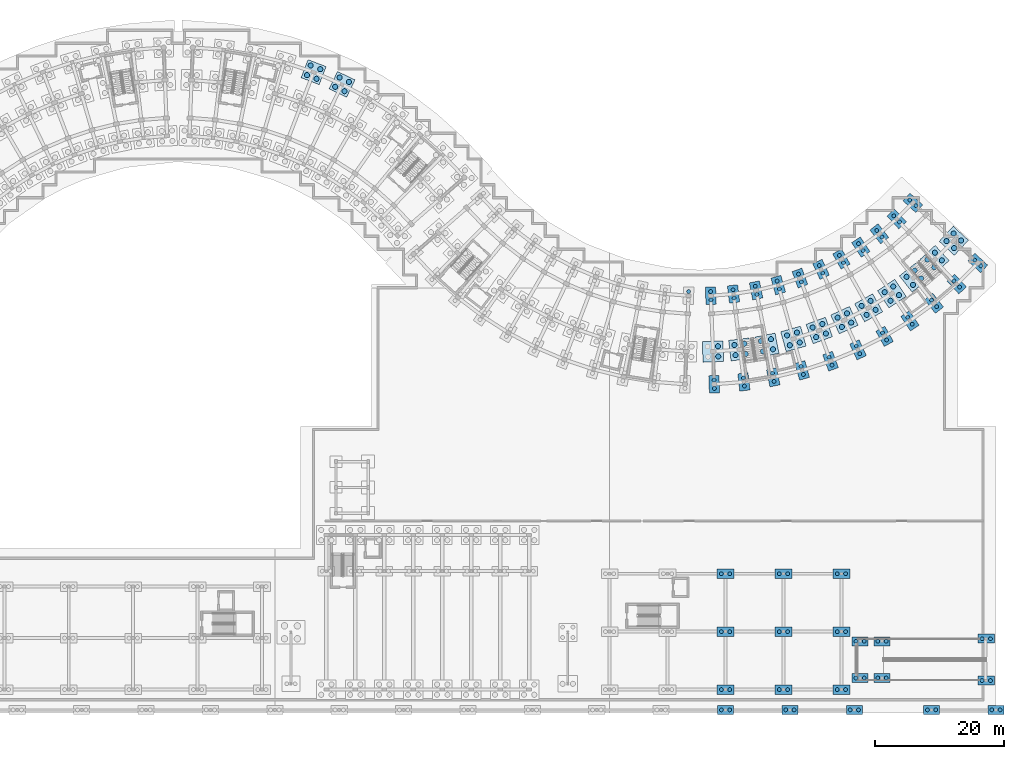
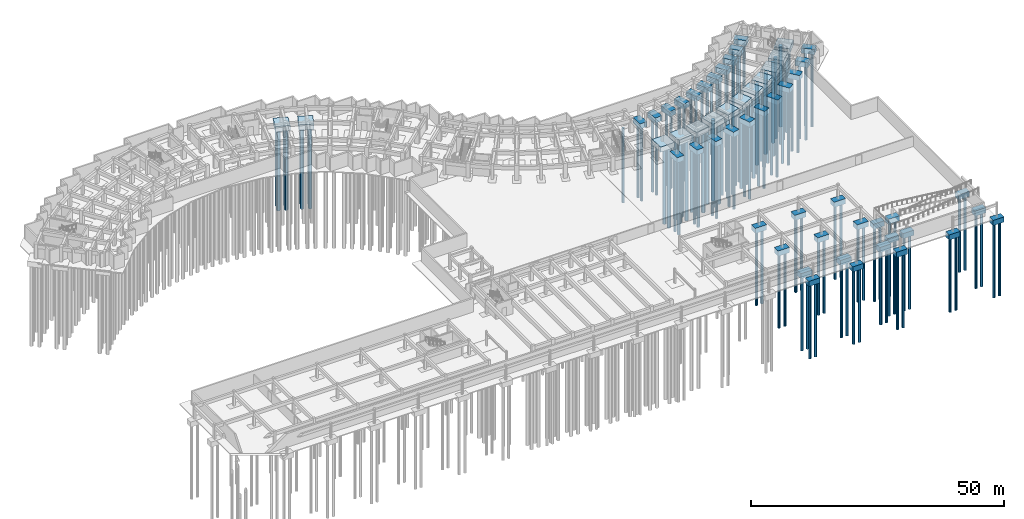
# One storey, part 4 of 32: 135 piles, 55 footings.
"""IFC4 building model written with IfcOpenShell, lengths in metres."""

from ifc_helpers import new_model, si_unit, direction, frame, origin, origin_2d, place, context, subcontext, project, spatial, rectangle, circle, extrude, material, material_profile, profile_set, type_object, element, save


model = new_model("IFC4")

# Units and contexts
model_context = context("Model", 3, precision=1e-05, world=origin(), true_north=direction((0.0, 1.0)))
body_context = subcontext(model_context, "Body", "Model", "MODEL_VIEW")
ifc_project = project(units=[si_unit("LENGTHUNIT", "METRE"), si_unit("AREAUNIT", "SQUARE_METRE"), si_unit("VOLUMEUNIT", "CUBIC_METRE"), si_unit("PLANEANGLEUNIT", "RADIAN"), si_unit("MASSUNIT", "GRAM", prefix="KILO")], contexts=[model_context])

# Site, building, storey
site_placement = place(None, origin())
site = spatial("IfcSite", under=ifc_project, at=site_placement, CompositionType="ELEMENT")
building_placement = place(site_placement, origin())
building = spatial("IfcBuilding", under=site, at=building_placement, Name="Zimvara Arc Housing Community", CompositionType="ELEMENT")
storey_placement = place(building_placement, frame((0.0, 0.0, -3.60009765625)))
storey = spatial("IfcBuildingStorey", under=building, at=storey_placement, Name="B1", CompositionType="ELEMENT", Elevation=-3.60009765625)

# Footings
ifc_material_1 = material(Name="Concrete C35/45", Category="concrete")
footing_type_1 = type_object("IfcFootingType", Name="FTG-PC2-2200x1400x1250", PredefinedType="PILE_CAP", material=ifc_material_1)
for number, where, z_axis, x_axis, name in (
    (1, (150.89990234375, 5.39990234375, -1.25), (0.0, 0.0, 1.0), (1.0, 0.0, 0.0), "ftg:ramp:1"),
    (2, (150.89990234375, 11.10009765625, -1.25), (0.0, 0.0, 1.0), (1.0, 0.0, 0.0), "ftg:ramp:2"),
    (3, (154.300048828125, 5.39990234375, -1.25), (0.0, 0.0, 1.0), (1.0, 0.0, 0.0), "ftg:ramp:3"),
    (4, (154.300048828125, 11.10009765625, -1.25), (0.0, 0.0, 1.0), (1.0, 0.0, 0.0), "ftg:ramp:4"),
    (5, (170.5, 5.0, -1.25), (0.0, 0.0, 1.0), (1.0, 0.0, 0.0), "ftg:ramp_top:1"),
    (6, (170.5, 11.5, -1.25), (0.0, 0.0, 1.0), (1.0, 0.0, 0.0), "ftg:ramp_top:2"),
    (7, (130.0, 0.449951171875, -1.25), (0.0, 0.0, 1.0), (1.0, 0.0, 0.0), "ftg:colonnade:13"),
    (8, (140.0, 0.449951171875, -1.25), (0.0, 0.0, 1.0), (1.0, 0.0, 0.0), "ftg:colonnade:14"),
    (9, (150.0, 0.449951171875, -1.25), (0.0, 0.0, 1.0), (1.0, 0.0, 0.0), "ftg:colonnade:15"),
    (10, (162.0, 0.449951171875, -1.25), (0.0, 0.0, 1.0), (1.0, 0.0, 0.0), "ftg:colonnade:16"),
    (11, (172.0, 0.449951171875, -1.25), (0.0, 0.0, 1.0), (1.0, 0.0, 0.0), "ftg:colonnade:17"),
):
    element("IfcFooting", number, at=place(storey_placement, frame(where, z_axis=z_axis, x_axis=x_axis)), inside=storey, type_object=footing_type_1, Name=name, PredefinedType="PILE_CAP", context=body_context, shape_type="SweptSolid", body=[
        extrude(rectangle(XDim=2.5, YDim=1.39990234375, at=origin_2d()), origin(), (0.0, 0.0, 1.0), 1.25),
    ])
ifc_material_2 = material(Name="Concrete C35/45", Category="concrete")
footing_type_2 = type_object("IfcFootingType", Name="FTG-PC2-2400x1500x1250", PredefinedType="PILE_CAP", material=ifc_material_2)
for number, where, z_axis, x_axis, name in (
    (12, (130.0, 3.60009765625, -1.25), (0.0, 0.0, 1.0), (1.0, 0.0, 0.0), "ftg:nursery:x2:y0"),
    (13, (130.0, 12.60009765625, -1.25), (0.0, 0.0, 1.0), (1.0, 0.0, 0.0), "ftg:nursery:x2:y1"),
    (14, (130.0, 21.60009765625, -1.25), (0.0, 0.0, 1.0), (1.0, 0.0, 0.0), "ftg:nursery:x2:y2"),
    (15, (139.0, 3.60009765625, -1.25), (0.0, 0.0, 1.0), (1.0, 0.0, 0.0), "ftg:nursery:x3:y0"),
    (16, (139.0, 12.60009765625, -1.25), (0.0, 0.0, 1.0), (1.0, 0.0, 0.0), "ftg:nursery:x3:y1"),
    (17, (139.0, 21.60009765625, -1.25), (0.0, 0.0, 1.0), (1.0, 0.0, 0.0), "ftg:nursery:x3:y2"),
    (18, (148.0, 3.60009765625, -1.25), (0.0, 0.0, 1.0), (1.0, 0.0, 0.0), "ftg:nursery:x4:y0"),
    (19, (148.0, 12.60009765625, -1.25), (0.0, 0.0, 1.0), (1.0, 0.0, 0.0), "ftg:nursery:x4:y1"),
    (20, (148.0, 21.60009765625, -1.25), (0.0, 0.0, 1.0), (1.0, 0.0, 0.0), "ftg:nursery:x4:y2"),
):
    element("IfcFooting", number, at=place(storey_placement, frame(where, z_axis=z_axis, x_axis=x_axis)), inside=storey, type_object=footing_type_2, Name=name, PredefinedType="PILE_CAP", context=body_context, shape_type="SweptSolid", body=[
        extrude(rectangle(XDim=2.60009765625, YDim=1.5, at=origin_2d()), origin(), (0.0, 0.0, 1.0), 1.25),
    ])
ifc_material_3 = material(Name="Concrete C35/45", Category="concrete")
footing_type_3 = type_object("IfcFootingType", Name="FTG-PC2-2600x1600x1250", PredefinedType="PILE_CAP", material=ifc_material_3)
for number, where, z_axis, x_axis, name in (
    (21, (127.712158203125, 64.773193359375, -1.25), (0.0, 0.0, 1.0), (0.038387809088, -0.999262916411, 0.0), "ftg:blkD:b0:r0"),
    (22, (128.240234375, 51.0234375, -1.25), (0.0, 0.0, 1.0), (0.038387809088, -0.999262916411, 0.0), "ftg:blkD:b0:r3"),
    (23, (131.244140625, 65.048095703125, -1.25), (0.0, 0.0, 1.0), (0.116670737099, -0.993170649538, 0.0), "ftg:blkD:b1:r0"),
    (24, (132.849609375, 51.382080078125, -1.25), (0.0, 0.0, 1.0), (0.116670737099, -0.993170649538, 0.0), "ftg:blkD:b1:r3"),
    (25, (134.743896484375, 65.599365234375, -1.25), (0.0, 0.0, 1.0), (0.19423435122, -0.980955155349, 0.0), "ftg:blkD:b2:r0"),
    (26, (137.41650390625, 52.101318359375, -1.25), (0.0, 0.0, 1.0), (0.19423435122, -0.980955155349, 0.0), "ftg:blkD:b2:r3"),
    (27, (138.189453125, 66.42333984375, -1.25), (0.0, 0.0, 1.0), (0.270600445976, -0.962691746426, 0.0), "ftg:blkD:b3:r0"),
    (28, (141.912841796875, 53.1767578125, -1.25), (0.0, 0.0, 1.0), (0.270600445976, -0.962691746426, 0.0), "ftg:blkD:b3:r3"),
    (29, (141.559814453125, 67.51513671875, -1.25), (0.0, 0.0, 1.0), (0.345298198999, -0.93849302276, 0.0), "ftg:blkD:b4:r0"),
    (30, (146.311279296875, 54.6015625, -1.25), (0.0, 0.0, 1.0), (0.345298198999, -0.93849302276, 0.0), "ftg:blkD:b4:r3"),
    (31, (144.834228515625, 68.8681640625, -1.25), (0.0, 0.0, 1.0), (0.417867073801, -0.908508177527, 0.0), "ftg:blkD:b5:r0"),
    (32, (150.583984375, 56.366943359375, -1.25), (0.0, 0.0, 1.0), (0.417867073801, -0.908508177527, 0.0), "ftg:blkD:b5:r3"),
    (33, (147.9921875, 70.473876953125, -1.25), (0.0, 0.0, 1.0), (0.487859659139, -0.87292207727, 0.0), "ftg:blkD:b6:r0"),
    (34, (154.705078125, 58.46240234375, -1.25), (0.0, 0.0, 1.0), (0.487859659139, -0.87292207727, 0.0), "ftg:blkD:b6:r3"),
    (35, (151.0146484375, 72.322265625, -1.25), (0.0, 0.0, 1.0), (0.554844427448, -0.83195412213, 0.0), "ftg:blkD:b7:r0"),
    (36, (158.649169921875, 60.87451171875, -1.25), (0.0, 0.0, 1.0), (0.554844427448, -0.83195412213, 0.0), "ftg:blkD:b7:r3"),
    (37, (153.882568359375, 74.402099609375, -1.25), (0.0, 0.0, 1.0), (0.618408395358, -0.785856893175, 0.0), "ftg:blkD:b8:r0"),
    (38, (162.391845703125, 63.5888671875, -1.25), (0.0, 0.0, 1.0), (0.618408395358, -0.785856893175, 0.0), "ftg:blkD:b8:r3"),
    (39, (156.57861328125, 76.70068359375, -1.25), (0.0, 0.0, 1.0), (0.678159669868, -0.73491459515, 0.0), "ftg:blkD:b9:r0"),
    (40, (165.91015625, 66.588134765625, -1.25), (0.0, 0.0, 1.0), (0.678159669868, -0.73491459515, 0.0), "ftg:blkD:b9:r3"),
    (41, (159.0859375, 79.20361328125, -1.25), (0.0, 0.0, 1.0), (0.733729864503, -0.679441304262, 0.0), "ftg:blkD:b10:r0"),
    (42, (169.18212890625, 69.8544921875, -1.25), (0.0, 0.0, 1.0), (0.733729864503, -0.679441304262, 0.0), "ftg:blkD:b10:r3"),
):
    element("IfcFooting", number, at=place(storey_placement, frame(where, z_axis=z_axis, x_axis=x_axis)), inside=storey, type_object=footing_type_3, Name=name, PredefinedType="PILE_CAP", context=body_context, shape_type="SweptSolid", body=[
        extrude(rectangle(XDim=2.699951171875, YDim=1.60009765625, at=origin_2d()), origin(), (0.0, 0.0, 1.0), 1.25),
    ])
ifc_material_4 = material(Name="Concrete C35/45", Category="concrete")
footing_type_4 = type_object("IfcFootingType", Name="FTG-PC4-2800x2800x1250", PredefinedType="PILE_CAP", material=ifc_material_4)
for number, where, z_axis, x_axis, name in (
    (43, (66.02392578125, 99.49853515625, -1.25), (0.0, 0.0, 1.0), (0.357064076459, 0.934079892355, 0.0), "ftg:blkB:b4:r3"),
    (44, (70.441162109375, 97.599853515625, -1.25), (0.0, 0.0, 1.0), (0.432085748802, 0.901832526405, 0.0), "ftg:blkB:b5:r3"),
):
    element("IfcFooting", number, at=place(storey_placement, frame(where, z_axis=z_axis, x_axis=x_axis)), inside=storey, type_object=footing_type_4, Name=name, PredefinedType="PILE_CAP", context=body_context, shape_type="SweptSolid", body=[
        extrude(rectangle(XDim=3.0, YDim=3.0, at=origin_2d()), origin(), (0.0, 0.0, 1.0), 1.25),
    ])
ifc_material_5 = material(Name="Concrete C35/45", Category="concrete")
footing_type_5 = type_object("IfcFootingType", Name="FTG-PC4-3200x3200x1250", PredefinedType="PILE_CAP", material=ifc_material_5)
for number, where, z_axis, x_axis, name in (
    (45, (128.045166015625, 56.099609375, -1.25), (0.0, 0.0, 1.0), (0.038387809088, -0.999262916411, 0.0), "ftg:blkD:b0:r2"),
    (46, (132.2568359375, 56.427490234375, -1.25), (0.0, 0.0, 1.0), (0.116670737099, -0.993170649538, 0.0), "ftg:blkD:b1:r2"),
    (47, (136.4296875, 57.084716796875, -1.25), (0.0, 0.0, 1.0), (0.19423435122, -0.980955155349, 0.0), "ftg:blkD:b2:r2"),
    (48, (140.538330078125, 58.067138671875, -1.25), (0.0, 0.0, 1.0), (0.270600445976, -0.962691746426, 0.0), "ftg:blkD:b3:r2"),
    (49, (144.55712890625, 59.369140625, -1.25), (0.0, 0.0, 1.0), (0.345298198999, -0.93849302276, 0.0), "ftg:blkD:b4:r2"),
    (50, (148.461181640625, 60.982177734375, -1.25), (0.0, 0.0, 1.0), (0.417867073801, -0.908508177527, 0.0), "ftg:blkD:b5:r2"),
    (51, (152.226806640625, 62.896728515625, -1.25), (0.0, 0.0, 1.0), (0.487859659139, -0.87292207727, 0.0), "ftg:blkD:b6:r2"),
    (52, (155.83056640625, 65.100830078125, -1.25), (0.0, 0.0, 1.0), (0.554844427448, -0.83195412213, 0.0), "ftg:blkD:b7:r2"),
    (53, (159.25048828125, 67.580810546875, -1.25), (0.0, 0.0, 1.0), (0.618408395358, -0.785856893175, 0.0), "ftg:blkD:b8:r2"),
    (54, (162.465087890625, 70.321533203125, -1.25), (0.0, 0.0, 1.0), (0.678159669868, -0.73491459515, 0.0), "ftg:blkD:b9:r2"),
    (55, (165.45458984375, 73.30615234375, -1.25), (0.0, 0.0, 1.0), (0.733729864503, -0.679441304262, 0.0), "ftg:blkD:b10:r2"),
):
    element("IfcFooting", number, at=place(storey_placement, frame(where, z_axis=z_axis, x_axis=x_axis)), inside=storey, type_object=footing_type_5, Name=name, PredefinedType="PILE_CAP", context=body_context, shape_type="SweptSolid", body=[
        extrude(rectangle(XDim=3.199951171875, YDim=3.199951171875, at=origin_2d()), origin(), (0.0, 0.0, 1.0), 1.25),
    ])

# Piles
ifc_material_6 = material(Name="Concrete C35/45", Category="concrete")
ifc_material_profile_1 = material_profile(ifc_material_6, circle(Radius=0.300048828125, at=origin_2d()), Name="PILE D600")
ifc_profile_set_1 = profile_set([ifc_material_profile_1], Name="Concrete C35/45")
pile_type_1 = type_object("IfcPileType", Name="PIL-BORED-D600", PredefinedType="BORED", material=ifc_profile_set_1)
for number, where, z_axis, x_axis, name in (
    (56, (150.25, 5.39990234375, -1.14990234375), (0.0, 0.0, -1.0), (1.0, 0.0, 0.0), "pile:ramp:1:1"),
    (57, (151.550048828125, 5.39990234375, -1.14990234375), (0.0, 0.0, -1.0), (1.0, 0.0, 0.0), "pile:ramp:1:2"),
    (58, (150.25, 11.10009765625, -1.14990234375), (0.0, 0.0, -1.0), (1.0, 0.0, 0.0), "pile:ramp:2:1"),
    (59, (151.550048828125, 11.10009765625, -1.14990234375), (0.0, 0.0, -1.0), (1.0, 0.0, 0.0), "pile:ramp:2:2"),
    (60, (153.64990234375, 5.39990234375, -1.14990234375), (0.0, 0.0, -1.0), (1.0, 0.0, 0.0), "pile:ramp:3:1"),
    (61, (154.949951171875, 5.39990234375, -1.14990234375), (0.0, 0.0, -1.0), (1.0, 0.0, 0.0), "pile:ramp:3:2"),
    (62, (153.64990234375, 11.10009765625, -1.14990234375), (0.0, 0.0, -1.0), (1.0, 0.0, 0.0), "pile:ramp:4:1"),
    (63, (154.949951171875, 11.10009765625, -1.14990234375), (0.0, 0.0, -1.0), (1.0, 0.0, 0.0), "pile:ramp:4:2"),
    (64, (169.85009765625, 5.0, -1.14990234375), (0.0, 0.0, -1.0), (1.0, 0.0, 0.0), "pile:ramp_top:1:1"),
    (65, (171.14990234375, 5.0, -1.14990234375), (0.0, 0.0, -1.0), (1.0, 0.0, 0.0), "pile:ramp_top:1:2"),
    (66, (169.85009765625, 11.5, -1.14990234375), (0.0, 0.0, -1.0), (1.0, 0.0, 0.0), "pile:ramp_top:2:1"),
    (67, (171.14990234375, 11.5, -1.14990234375), (0.0, 0.0, -1.0), (1.0, 0.0, 0.0), "pile:ramp_top:2:2"),
    (68, (124.27294921875, 65.4228515625, -1.14990234375), (0.0, 0.0, -1.0), (1.0, 0.0, 0.0), "pile:blkC:b10:r0:1"),
    (69, (127.68701171875, 65.4228515625, -1.14990234375), (0.0, 0.0, -1.0), (1.0, 0.0, 0.0), "pile:blkD:b0:r0:1"),
    (70, (127.737060546875, 64.123779296875, -1.14990234375), (0.0, 0.0, -1.0), (1.0, 0.0, 0.0), "pile:blkD:b0:r0:2"),
    (71, (128.21533203125, 51.6728515625, -1.14990234375), (0.0, 0.0, -1.0), (1.0, 0.0, 0.0), "pile:blkD:b0:r3:1"),
    (72, (128.26513671875, 50.373779296875, -1.14990234375), (0.0, 0.0, -1.0), (1.0, 0.0, 0.0), "pile:blkD:b0:r3:2"),
    (73, (131.16845703125, 65.693603515625, -1.14990234375), (0.0, 0.0, -1.0), (1.0, 0.0, 0.0), "pile:blkD:b1:r0:1"),
    (74, (131.320068359375, 64.402587890625, -1.14990234375), (0.0, 0.0, -1.0), (1.0, 0.0, 0.0), "pile:blkD:b1:r0:2"),
    (75, (132.773681640625, 52.027587890625, -1.14990234375), (0.0, 0.0, -1.0), (1.0, 0.0, 0.0), "pile:blkD:b1:r3:1"),
    (76, (132.92529296875, 50.736572265625, -1.14990234375), (0.0, 0.0, -1.0), (1.0, 0.0, 0.0), "pile:blkD:b1:r3:2"),
    (77, (134.61767578125, 66.23681640625, -1.14990234375), (0.0, 0.0, -1.0), (1.0, 0.0, 0.0), "pile:blkD:b2:r0:1"),
    (78, (134.8701171875, 64.961669921875, -1.14990234375), (0.0, 0.0, -1.0), (1.0, 0.0, 0.0), "pile:blkD:b2:r0:2"),
    (79, (137.290283203125, 52.739013671875, -1.14990234375), (0.0, 0.0, -1.0), (1.0, 0.0, 0.0), "pile:blkD:b2:r3:1"),
    (80, (137.542724609375, 51.463623046875, -1.14990234375), (0.0, 0.0, -1.0), (1.0, 0.0, 0.0), "pile:blkD:b2:r3:2"),
    (81, (138.013671875, 67.049072265625, -1.14990234375), (0.0, 0.0, -1.0), (1.0, 0.0, 0.0), "pile:blkD:b3:r0:1"),
    (82, (138.365478515625, 65.797607421875, -1.14990234375), (0.0, 0.0, -1.0), (1.0, 0.0, 0.0), "pile:blkD:b3:r0:2"),
    (83, (141.737060546875, 53.802490234375, -1.14990234375), (0.0, 0.0, -1.0), (1.0, 0.0, 0.0), "pile:blkD:b3:r3:1"),
    (84, (142.0888671875, 52.551025390625, -1.14990234375), (0.0, 0.0, -1.0), (1.0, 0.0, 0.0), "pile:blkD:b3:r3:2"),
    (85, (141.33544921875, 68.125244140625, -1.14990234375), (0.0, 0.0, -1.0), (1.0, 0.0, 0.0), "pile:blkD:b4:r0:1"),
    (86, (141.7841796875, 66.9052734375, -1.14990234375), (0.0, 0.0, -1.0), (1.0, 0.0, 0.0), "pile:blkD:b4:r0:2"),
    (87, (146.086669921875, 55.211669921875, -1.14990234375), (0.0, 0.0, -1.0), (1.0, 0.0, 0.0), "pile:blkD:b4:r3:1"),
    (88, (146.53564453125, 53.991455078125, -1.14990234375), (0.0, 0.0, -1.0), (1.0, 0.0, 0.0), "pile:blkD:b4:r3:2"),
    (89, (144.5625, 69.458740234375, -1.14990234375), (0.0, 0.0, -1.0), (1.0, 0.0, 0.0), "pile:blkD:b5:r0:1"),
    (90, (145.105712890625, 68.277587890625, -1.14990234375), (0.0, 0.0, -1.0), (1.0, 0.0, 0.0), "pile:blkD:b5:r0:2"),
    (91, (150.3125, 56.95751953125, -1.14990234375), (0.0, 0.0, -1.0), (1.0, 0.0, 0.0), "pile:blkD:b5:r3:1"),
    (92, (150.855712890625, 55.776611328125, -1.14990234375), (0.0, 0.0, -1.0), (1.0, 0.0, 0.0), "pile:blkD:b5:r3:2"),
    (93, (147.675048828125, 71.041259765625, -1.14990234375), (0.0, 0.0, -1.0), (1.0, 0.0, 0.0), "pile:blkD:b6:r0:1"),
    (94, (148.309326171875, 69.90625, -1.14990234375), (0.0, 0.0, -1.0), (1.0, 0.0, 0.0), "pile:blkD:b6:r0:2"),
    (95, (154.38818359375, 59.02978515625, -1.14990234375), (0.0, 0.0, -1.0), (1.0, 0.0, 0.0), "pile:blkD:b6:r3:1"),
    (96, (155.022216796875, 57.89501953125, -1.14990234375), (0.0, 0.0, -1.0), (1.0, 0.0, 0.0), "pile:blkD:b6:r3:2"),
    (97, (150.65380859375, 72.863037109375, -1.14990234375), (0.0, 0.0, -1.0), (1.0, 0.0, 0.0), "pile:blkD:b7:r0:1"),
    (98, (151.375244140625, 71.781494140625, -1.14990234375), (0.0, 0.0, -1.0), (1.0, 0.0, 0.0), "pile:blkD:b7:r0:2"),
    (99, (158.28857421875, 61.415283203125, -1.14990234375), (0.0, 0.0, -1.0), (1.0, 0.0, 0.0), "pile:blkD:b7:r3:1"),
    (100, (159.010009765625, 60.333740234375, -1.14990234375), (0.0, 0.0, -1.0), (1.0, 0.0, 0.0), "pile:blkD:b7:r3:2"),
    (101, (153.480712890625, 74.912841796875, -1.14990234375), (0.0, 0.0, -1.0), (1.0, 0.0, 0.0), "pile:blkD:b8:r0:1"),
    (102, (154.28466796875, 73.891357421875, -1.14990234375), (0.0, 0.0, -1.0), (1.0, 0.0, 0.0), "pile:blkD:b8:r0:2"),
    (103, (161.989990234375, 64.099609375, -1.14990234375), (0.0, 0.0, -1.0), (1.0, 0.0, 0.0), "pile:blkD:b8:r3:1"),
    (104, (162.7939453125, 63.077880859375, -1.14990234375), (0.0, 0.0, -1.0), (1.0, 0.0, 0.0), "pile:blkD:b8:r3:2"),
    (105, (156.1376953125, 77.178466796875, -1.14990234375), (0.0, 0.0, -1.0), (1.0, 0.0, 0.0), "pile:blkD:b9:r0:1"),
    (106, (157.019287109375, 76.222900390625, -1.14990234375), (0.0, 0.0, -1.0), (1.0, 0.0, 0.0), "pile:blkD:b9:r0:2"),
    (107, (165.46923828125, 67.06591796875, -1.14990234375), (0.0, 0.0, -1.0), (1.0, 0.0, 0.0), "pile:blkD:b9:r3:1"),
    (108, (166.350830078125, 66.110595703125, -1.14990234375), (0.0, 0.0, -1.0), (1.0, 0.0, 0.0), "pile:blkD:b9:r3:2"),
    (109, (158.60888671875, 79.645263671875, -1.14990234375), (0.0, 0.0, -1.0), (1.0, 0.0, 0.0), "pile:blkD:b10:r0:1"),
    (110, (159.562744140625, 78.761962890625, -1.14990234375), (0.0, 0.0, -1.0), (1.0, 0.0, 0.0), "pile:blkD:b10:r0:2"),
    (111, (168.705078125, 70.296142578125, -1.14990234375), (0.0, 0.0, -1.0), (1.0, 0.0, 0.0), "pile:blkD:b10:r3:1"),
    (112, (169.658935546875, 69.412841796875, -1.14990234375), (0.0, 0.0, -1.0), (1.0, 0.0, 0.0), "pile:blkD:b10:r3:2"),
    (113, (129.35009765625, 3.60009765625, -1.14990234375), (0.0, 0.0, -1.0), (1.0, 0.0, 0.0), "pile:nursery:x2:y0:1"),
    (114, (130.64990234375, 3.60009765625, -1.14990234375), (0.0, 0.0, -1.0), (1.0, 0.0, 0.0), "pile:nursery:x2:y0:2"),
    (115, (129.35009765625, 12.60009765625, -1.14990234375), (0.0, 0.0, -1.0), (1.0, 0.0, 0.0), "pile:nursery:x2:y1:1"),
    (116, (130.64990234375, 12.60009765625, -1.14990234375), (0.0, 0.0, -1.0), (1.0, 0.0, 0.0), "pile:nursery:x2:y1:2"),
    (117, (129.35009765625, 21.60009765625, -1.14990234375), (0.0, 0.0, -1.0), (1.0, 0.0, 0.0), "pile:nursery:x2:y2:1"),
    (118, (130.64990234375, 21.60009765625, -1.14990234375), (0.0, 0.0, -1.0), (1.0, 0.0, 0.0), "pile:nursery:x2:y2:2"),
    (119, (138.35009765625, 3.60009765625, -1.14990234375), (0.0, 0.0, -1.0), (1.0, 0.0, 0.0), "pile:nursery:x3:y0:1"),
    (120, (139.64990234375, 3.60009765625, -1.14990234375), (0.0, 0.0, -1.0), (1.0, 0.0, 0.0), "pile:nursery:x3:y0:2"),
    (121, (138.35009765625, 12.60009765625, -1.14990234375), (0.0, 0.0, -1.0), (1.0, 0.0, 0.0), "pile:nursery:x3:y1:1"),
    (122, (139.64990234375, 12.60009765625, -1.14990234375), (0.0, 0.0, -1.0), (1.0, 0.0, 0.0), "pile:nursery:x3:y1:2"),
    (123, (138.35009765625, 21.60009765625, -1.14990234375), (0.0, 0.0, -1.0), (1.0, 0.0, 0.0), "pile:nursery:x3:y2:1"),
    (124, (139.64990234375, 21.60009765625, -1.14990234375), (0.0, 0.0, -1.0), (1.0, 0.0, 0.0), "pile:nursery:x3:y2:2"),
    (125, (147.35009765625, 3.60009765625, -1.14990234375), (0.0, 0.0, -1.0), (1.0, 0.0, 0.0), "pile:nursery:x4:y0:1"),
    (126, (148.64990234375, 3.60009765625, -1.14990234375), (0.0, 0.0, -1.0), (1.0, 0.0, 0.0), "pile:nursery:x4:y0:2"),
    (127, (147.35009765625, 12.60009765625, -1.14990234375), (0.0, 0.0, -1.0), (1.0, 0.0, 0.0), "pile:nursery:x4:y1:1"),
    (128, (148.64990234375, 12.60009765625, -1.14990234375), (0.0, 0.0, -1.0), (1.0, 0.0, 0.0), "pile:nursery:x4:y1:2"),
    (129, (147.35009765625, 21.60009765625, -1.14990234375), (0.0, 0.0, -1.0), (1.0, 0.0, 0.0), "pile:nursery:x4:y2:1"),
    (130, (148.64990234375, 21.60009765625, -1.14990234375), (0.0, 0.0, -1.0), (1.0, 0.0, 0.0), "pile:nursery:x4:y2:2"),
    (131, (129.35009765625, 0.449951171875, -1.14990234375), (0.0, 0.0, -1.0), (1.0, 0.0, 0.0), "pile:colonnade:13:1"),
    (132, (130.64990234375, 0.449951171875, -1.14990234375), (0.0, 0.0, -1.0), (1.0, 0.0, 0.0), "pile:colonnade:13:2"),
    (133, (139.35009765625, 0.449951171875, -1.14990234375), (0.0, 0.0, -1.0), (1.0, 0.0, 0.0), "pile:colonnade:14:1"),
    (134, (140.64990234375, 0.449951171875, -1.14990234375), (0.0, 0.0, -1.0), (1.0, 0.0, 0.0), "pile:colonnade:14:2"),
    (135, (149.35009765625, 0.449951171875, -1.14990234375), (0.0, 0.0, -1.0), (1.0, 0.0, 0.0), "pile:colonnade:15:1"),
    (136, (150.64990234375, 0.449951171875, -1.14990234375), (0.0, 0.0, -1.0), (1.0, 0.0, 0.0), "pile:colonnade:15:2"),
    (137, (161.35009765625, 0.449951171875, -1.14990234375), (0.0, 0.0, -1.0), (1.0, 0.0, 0.0), "pile:colonnade:16:1"),
    (138, (162.64990234375, 0.449951171875, -1.14990234375), (0.0, 0.0, -1.0), (1.0, 0.0, 0.0), "pile:colonnade:16:2"),
    (139, (171.35009765625, 0.449951171875, -1.14990234375), (0.0, 0.0, -1.0), (1.0, 0.0, 0.0), "pile:colonnade:17:1"),
    (140, (172.64990234375, 0.449951171875, -1.14990234375), (0.0, 0.0, -1.0), (1.0, 0.0, 0.0), "pile:colonnade:17:2"),
):
    element("IfcPile", number, at=place(storey_placement, frame(where, z_axis=z_axis, x_axis=x_axis)), inside=storey, type_object=pile_type_1, Name=name, PredefinedType="BORED", context=body_context, shape_type="SweptSolid", body=[
        extrude(circle(Radius=0.300048828125, at=origin_2d()), origin(), (0.0, 0.0, 1.0), 18.0),
    ])
ifc_material_7 = material(Name="Concrete C35/45", Category="concrete")
ifc_material_profile_2 = material_profile(ifc_material_7, circle(Radius=0.39990234375, at=origin_2d()), Name="PILE D800")
ifc_profile_set_2 = profile_set([ifc_material_profile_2], Name="Concrete C35/45")
pile_type_2 = type_object("IfcPileType", Name="PIL-BORED-D800", PredefinedType="BORED", material=ifc_profile_set_2)
for number, where, z_axis, x_axis, name in (
    (141, (66.485595703125, 98.4658203125, -1.14990234375), (0.0, 0.0, -1.0), (1.0, 0.0, 0.0), "pile:blkB:b4:r3:1"),
    (142, (67.056884765625, 99.960205078125, -1.14990234375), (0.0, 0.0, -1.0), (1.0, 0.0, 0.0), "pile:blkB:b4:r3:2"),
    (143, (65.562255859375, 100.531494140625, -1.14990234375), (0.0, 0.0, -1.0), (1.0, 0.0, 0.0), "pile:blkB:b4:r3:3"),
    (144, (64.990966796875, 99.037109375, -1.14990234375), (0.0, 0.0, -1.0), (1.0, 0.0, 0.0), "pile:blkB:b4:r3:4"),
    (145, (70.81689453125, 96.53271484375, -1.14990234375), (0.0, 0.0, -1.0), (1.0, 0.0, 0.0), "pile:blkB:b5:r3:1"),
    (146, (71.50830078125, 97.9755859375, -1.14990234375), (0.0, 0.0, -1.0), (1.0, 0.0, 0.0), "pile:blkB:b5:r3:2"),
    (147, (70.0654296875, 98.6669921875, -1.14990234375), (0.0, 0.0, -1.0), (1.0, 0.0, 0.0), "pile:blkB:b5:r3:3"),
    (148, (69.3740234375, 97.22412109375, -1.14990234375), (0.0, 0.0, -1.0), (1.0, 0.0, 0.0), "pile:blkB:b5:r3:4"),
    (149, (128.87548828125, 55.3310546875, -1.14990234375), (0.0, 0.0, -1.0), (1.0, 0.0, 0.0), "pile:blkD:b0:r2:3"),
    (150, (128.81396484375, 56.9296875, -1.14990234375), (0.0, 0.0, -1.0), (1.0, 0.0, 0.0), "pile:blkD:b0:r2:4"),
    (151, (131.368896484375, 57.128662109375, -1.14990234375), (0.0, 0.0, -1.0), (1.0, 0.0, 0.0), "pile:blkD:b1:r2:1"),
    (152, (131.5556640625, 55.53955078125, -1.14990234375), (0.0, 0.0, -1.0), (1.0, 0.0, 0.0), "pile:blkD:b1:r2:2"),
    (153, (133.144775390625, 55.726318359375, -1.14990234375), (0.0, 0.0, -1.0), (1.0, 0.0, 0.0), "pile:blkD:b1:r2:3"),
    (154, (132.9580078125, 57.315185546875, -1.14990234375), (0.0, 0.0, -1.0), (1.0, 0.0, 0.0), "pile:blkD:b1:r2:4"),
    (155, (135.48974609375, 57.714111328125, -1.14990234375), (0.0, 0.0, -1.0), (1.0, 0.0, 0.0), "pile:blkD:b2:r2:1"),
    (156, (135.800537109375, 56.14453125, -1.14990234375), (0.0, 0.0, -1.0), (1.0, 0.0, 0.0), "pile:blkD:b2:r2:2"),
    (157, (137.369873046875, 56.455322265625, -1.14990234375), (0.0, 0.0, -1.0), (1.0, 0.0, 0.0), "pile:blkD:b2:r2:3"),
    (158, (137.05908203125, 58.024658203125, -1.14990234375), (0.0, 0.0, -1.0), (1.0, 0.0, 0.0), "pile:blkD:b2:r2:4"),
    (159, (139.5517578125, 58.620849609375, -1.14990234375), (0.0, 0.0, -1.0), (1.0, 0.0, 0.0), "pile:blkD:b3:r2:1"),
    (160, (139.984619140625, 57.08056640625, -1.14990234375), (0.0, 0.0, -1.0), (1.0, 0.0, 0.0), "pile:blkD:b3:r2:2"),
    (161, (141.52490234375, 57.513427734375, -1.14990234375), (0.0, 0.0, -1.0), (1.0, 0.0, 0.0), "pile:blkD:b3:r2:3"),
    (162, (141.092041015625, 59.0537109375, -1.14990234375), (0.0, 0.0, -1.0), (1.0, 0.0, 0.0), "pile:blkD:b3:r2:4"),
    (163, (143.530029296875, 59.84375, -1.14990234375), (0.0, 0.0, -1.0), (1.0, 0.0, 0.0), "pile:blkD:b4:r2:1"),
    (164, (144.08251953125, 58.342041015625, -1.14990234375), (0.0, 0.0, -1.0), (1.0, 0.0, 0.0), "pile:blkD:b4:r2:2"),
    (165, (145.583984375, 58.89453125, -1.14990234375), (0.0, 0.0, -1.0), (1.0, 0.0, 0.0), "pile:blkD:b4:r2:3"),
    (166, (145.031494140625, 60.39599609375, -1.14990234375), (0.0, 0.0, -1.0), (1.0, 0.0, 0.0), "pile:blkD:b4:r2:4"),
    (167, (147.400146484375, 61.374755859375, -1.14990234375), (0.0, 0.0, -1.0), (1.0, 0.0, 0.0), "pile:blkD:b5:r2:1"),
    (168, (148.06884765625, 59.921142578125, -1.14990234375), (0.0, 0.0, -1.0), (1.0, 0.0, 0.0), "pile:blkD:b5:r2:2"),
    (169, (149.5224609375, 60.58984375, -1.14990234375), (0.0, 0.0, -1.0), (1.0, 0.0, 0.0), "pile:blkD:b5:r2:3"),
    (170, (148.853759765625, 62.04345703125, -1.14990234375), (0.0, 0.0, -1.0), (1.0, 0.0, 0.0), "pile:blkD:b5:r2:4"),
    (171, (151.13818359375, 63.204833984375, -1.14990234375), (0.0, 0.0, -1.0), (1.0, 0.0, 0.0), "pile:blkD:b6:r2:1"),
    (172, (151.918701171875, 61.80810546875, -1.14990234375), (0.0, 0.0, -1.0), (1.0, 0.0, 0.0), "pile:blkD:b6:r2:2"),
    (173, (153.3154296875, 62.588623046875, -1.14990234375), (0.0, 0.0, -1.0), (1.0, 0.0, 0.0), "pile:blkD:b6:r2:3"),
    (174, (152.534912109375, 63.9853515625, -1.14990234375), (0.0, 0.0, -1.0), (1.0, 0.0, 0.0), "pile:blkD:b6:r2:4"),
    (175, (154.72119140625, 65.322509765625, -1.14990234375), (0.0, 0.0, -1.0), (1.0, 0.0, 0.0), "pile:blkD:b7:r2:1"),
    (176, (155.60888671875, 63.991455078125, -1.14990234375), (0.0, 0.0, -1.0), (1.0, 0.0, 0.0), "pile:blkD:b7:r2:2"),
    (177, (156.940185546875, 64.879150390625, -1.14990234375), (0.0, 0.0, -1.0), (1.0, 0.0, 0.0), "pile:blkD:b7:r2:3"),
    (178, (156.05224609375, 66.210205078125, -1.14990234375), (0.0, 0.0, -1.0), (1.0, 0.0, 0.0), "pile:blkD:b7:r2:4"),
    (179, (158.126953125, 67.71484375, -1.14990234375), (0.0, 0.0, -1.0), (1.0, 0.0, 0.0), "pile:blkD:b8:r2:1"),
    (180, (159.116455078125, 66.45751953125, -1.14990234375), (0.0, 0.0, -1.0), (1.0, 0.0, 0.0), "pile:blkD:b8:r2:2"),
    (181, (160.373779296875, 67.447021484375, -1.14990234375), (0.0, 0.0, -1.0), (1.0, 0.0, 0.0), "pile:blkD:b8:r2:3"),
    (182, (159.38427734375, 68.704345703125, -1.14990234375), (0.0, 0.0, -1.0), (1.0, 0.0, 0.0), "pile:blkD:b8:r2:4"),
    (183, (161.33447265625, 70.366943359375, -1.14990234375), (0.0, 0.0, -1.0), (1.0, 0.0, 0.0), "pile:blkD:b9:r2:1"),
    (184, (162.419677734375, 69.191162109375, -1.14990234375), (0.0, 0.0, -1.0), (1.0, 0.0, 0.0), "pile:blkD:b9:r2:2"),
    (185, (163.595458984375, 70.276123046875, -1.14990234375), (0.0, 0.0, -1.0), (1.0, 0.0, 0.0), "pile:blkD:b9:r2:3"),
    (186, (162.510498046875, 71.4521484375, -1.14990234375), (0.0, 0.0, -1.0), (1.0, 0.0, 0.0), "pile:blkD:b9:r2:4"),
    (187, (164.32421875, 73.2626953125, -1.14990234375), (0.0, 0.0, -1.0), (1.0, 0.0, 0.0), "pile:blkD:b10:r2:1"),
    (188, (165.498046875, 72.175537109375, -1.14990234375), (0.0, 0.0, -1.0), (1.0, 0.0, 0.0), "pile:blkD:b10:r2:2"),
    (189, (166.585205078125, 73.349609375, -1.14990234375), (0.0, 0.0, -1.0), (1.0, 0.0, 0.0), "pile:blkD:b10:r2:3"),
    (190, (165.4111328125, 74.4365234375, -1.14990234375), (0.0, 0.0, -1.0), (1.0, 0.0, 0.0), "pile:blkD:b10:r2:4"),
):
    element("IfcPile", number, at=place(storey_placement, frame(where, z_axis=z_axis, x_axis=x_axis)), inside=storey, type_object=pile_type_2, Name=name, PredefinedType="BORED", context=body_context, shape_type="SweptSolid", body=[
        extrude(circle(Radius=0.39990234375, at=origin_2d()), origin(), (0.0, 0.0, 1.0), 19.5),
    ])

save(model, "model.ifc")
